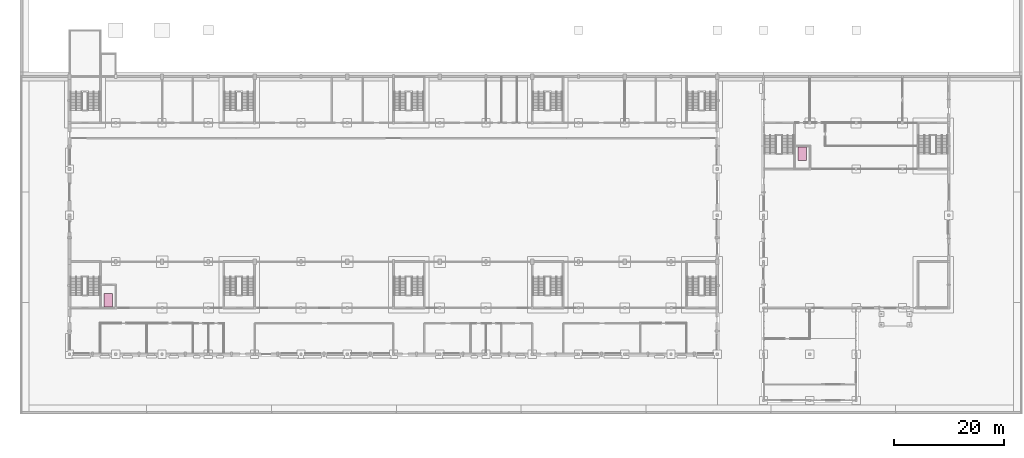
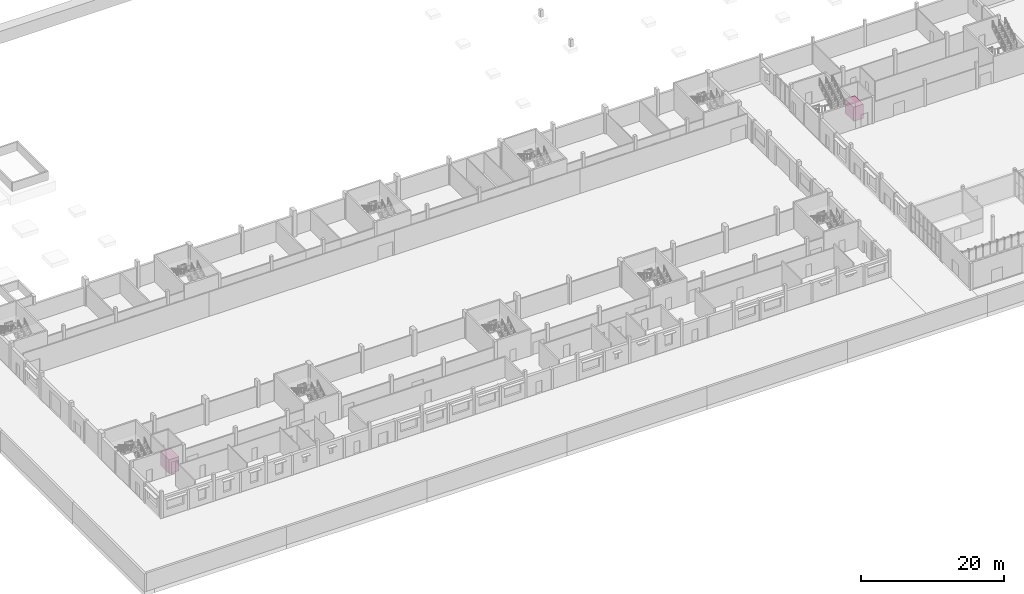
# One storey, part 36 of 36: 2 transport elements.
"""IFC4 building model written with IfcOpenShell, lengths in metres."""

import ifcopenshell
import ifcopenshell.guid

model = None  # the IFC model being written
_history = None  # IfcOwnerHistory: only IFC2X3 demands one
_inside = {}  # id of a spatial element -> (the spatial element, [elements in it])
_under = {}  # id of a project, library or spatial element -> (it, [spatial elements below it])
_declared = {}  # id of a project -> (the project, [libraries it declares])
_typed = {}  # id of a type object -> (the type object, [elements of that type])
_made_of = {}  # id of a material, layer set ... -> (it, [elements and type objects made of it])


def new_model(schema):
    """Start an empty IFC model of exactly this schema.

    Asked for "IFC4X3", IfcOpenShell would pick the latest addendum, in which some entities
    have other attributes; the version numbers below select the first issue.
    IFC2X3 requires an IfcOwnerHistory on every rooted entity: one is made here for all.
    """
    global model, _history
    if schema == "IFC4X3":
        model = ifcopenshell.file(schema_version=(4, 3, 0, 0))
    else:
        model = ifcopenshell.file(schema=schema)
    _inside.clear()
    _under.clear()
    _declared.clear()
    _typed.clear()
    _made_of.clear()
    _history = None
    if model.schema == "IFC2X3":
        org = make("IfcOrganization", Name="unknown")
        user = make(
            "IfcPersonAndOrganization",
            ThePerson=make("IfcPerson", FamilyName="unknown"),
            TheOrganization=org,
        )
        app = make(
            "IfcApplication",
            ApplicationDeveloper=org,
            Version="unknown",
            ApplicationFullName="unknown",
            ApplicationIdentifier="unknown",
        )
        _history = make(
            "IfcOwnerHistory",
            OwningUser=user,
            OwningApplication=app,
            ChangeAction="ADDED",
            CreationDate=0,
        )
    return model


def make(cls, **values):
    """One entity of the class cls with the attributes given. An attribute that is None is left unset."""
    return model.create_entity(
        cls, **{name: value for name, value in values.items() if value is not None}
    )


def rooted(cls, **values):
    """An entity with a GlobalId (a new one), such as an element, a storey or a relation."""
    return make(cls, GlobalId=ifcopenshell.guid.new(), OwnerHistory=_history, **values)


def si_unit(unit_type, name, prefix=None):
    """IfcSIUnit, for example si_unit("LENGTHUNIT", "METRE", prefix="MILLI")."""
    return make("IfcSIUnit", UnitType=unit_type, Prefix=prefix, Name=name)


def assignment(units):
    """IfcUnitAssignment: the units of a project."""
    return None if units is None else make("IfcUnitAssignment", Units=units)


def point(xyz):
    """IfcCartesianPoint."""
    return None if xyz is None else make("IfcCartesianPoint", Coordinates=xyz)


def direction(xyz):
    """IfcDirection."""
    return None if xyz is None else make("IfcDirection", DirectionRatios=xyz)


def frame(location, z_axis=None, x_axis=None):
    """IfcAxis2Placement3D, a coordinate frame: its origin and axes. An axis left out is left unset."""
    return make(
        "IfcAxis2Placement3D",
        Location=point(location),
        Axis=direction(z_axis),
        RefDirection=direction(x_axis),
    )


def frame_2d(location, x_axis=None):
    """IfcAxis2Placement2D, a coordinate frame in the plane: its origin and x axis."""
    return make(
        "IfcAxis2Placement2D", Location=point(location), RefDirection=direction(x_axis)
    )


def origin():
    """The frame at (0, 0, 0) with its axes left unset."""
    return frame((0.0, 0.0, 0.0))


def origin_2d():
    """The frame at (0, 0) in the plane with its x axis left unset."""
    return frame_2d((0.0, 0.0))


def place(relative_to, where):
    """IfcLocalPlacement: puts the frame where relative to a parent placement (None: the world)."""
    return make(
        "IfcLocalPlacement", PlacementRelTo=relative_to, RelativePlacement=where
    )


def context(
    kind, dimensions, precision=None, world=None, true_north=None, identifier=None
):
    """IfcGeometricRepresentationContext, for example the 3D "Model" context."""
    return make(
        "IfcGeometricRepresentationContext",
        ContextIdentifier=identifier,
        ContextType=kind,
        CoordinateSpaceDimension=dimensions,
        Precision=precision,
        WorldCoordinateSystem=world,
        TrueNorth=true_north,
    )


def subcontext(parent, identifier, kind, view, scale=None):
    """IfcGeometricRepresentationSubContext, for example "Body" below "Model"."""
    return make(
        "IfcGeometricRepresentationSubContext",
        ContextIdentifier=identifier,
        ContextType=kind,
        ParentContext=parent,
        TargetScale=scale,
        TargetView=view,
    )


def project(units=None, contexts=None):
    """IfcProject with its units and contexts."""
    return rooted(
        "IfcProject",
        Name="project",
        RepresentationContexts=contexts,
        UnitsInContext=assignment(units),
    )


def spatial(cls, under=None, at=None, **own):
    """A site, building, storey or space (cls), placed at a placement, below another one or the project."""
    s = rooted(cls, ObjectPlacement=at, **own)
    if under is not None:
        _under.setdefault(under.id(), (under, []))[1].append(s)
    return s


def profile(cls, at=None, kind="AREA", **sizes):
    """A parametric profile (cls). Its sizes go by their IFC names, for example OverallWidth=200.0."""
    return make(cls, ProfileType=kind, Position=at, **sizes)


def rectangle(**sizes):
    """IfcRectangleProfileDef."""
    return profile("IfcRectangleProfileDef", **sizes)


def extrude(swept, where, along, depth):
    """IfcExtrudedAreaSolid: the profile swept, set in the frame where, extruded along a direction by depth."""
    return make(
        "IfcExtrudedAreaSolid",
        SweptArea=swept,
        Position=where,
        ExtrudedDirection=direction(along),
        Depth=depth,
    )


def shape(context_of_items, identifier, shape_type, items):
    """IfcShapeRepresentation: the items that make up one representation, for example the "Body"."""
    return make(
        "IfcShapeRepresentation",
        ContextOfItems=context_of_items,
        RepresentationIdentifier=identifier,
        RepresentationType=shape_type,
        Items=items,
    )


def material(Name=None, Category=None):
    """IfcMaterial."""
    return make("IfcMaterial", Name=Name, Category=Category)


def made_of(thing, what):
    """Note that an element or type object is made of a material, layer set ...; save() writes the relation."""
    if what is not None:
        _made_of.setdefault(what.id(), (what, []))[1].append(thing)
    return thing


def type_object(cls, material=None, **own):
    """A type object (cls), such as IfcWallType, which elements share."""
    return made_of(rooted(cls, **own), material)


def element(
    cls,
    number,
    at=None,
    inside=None,
    cuts=None,
    type_object=None,
    material=None,
    context=None,
    identifier="Body",
    shape_type=None,
    held_by="IfcProductDefinitionShape",
    body=None,
    shapes=None,
    **own,
):
    """One element of the class cls, such as IfcWall. Its Tag is "e" and its number.

    at: its placement. inside: the storey or other place that contains it. cuts: it is an
    opening in that element (IfcRelVoidsElement). A single representation is given by context,
    identifier, shape_type and body (its items); several are given by shapes. held_by: the class
    of the entity that holds the representations. save() writes the other relations.
    """
    e = rooted(cls, Tag="e%d" % number, ObjectPlacement=at, **own)
    if body is not None:
        shapes = [shape(context, identifier, shape_type, body)]
    if shapes is not None:
        e.Representation = make(held_by, Representations=shapes)
    if inside is not None:
        _inside.setdefault(inside.id(), (inside, []))[1].append(e)
    if cuts is not None:
        rooted(
            "IfcRelVoidsElement", RelatingBuildingElement=cuts, RelatedOpeningElement=e
        )
    if type_object is not None:
        _typed.setdefault(type_object.id(), (type_object, []))[1].append(e)
    return made_of(e, material)


def aggregate(whole, parts):
    """IfcRelAggregates: a whole, such as a stair, and the parts it consists of."""
    return rooted("IfcRelAggregates", RelatingObject=whole, RelatedObjects=parts)


def save(model, path):
    """Write the relations noted so far, then the file.

    IfcRelAggregates (storeys below a building ...), IfcRelContainedInSpatialStructure (elements
    in a storey), IfcRelDefinesByType, IfcRelAssociatesMaterial and IfcRelDeclares: one each for
    every whole, place, type object, material and project.
    """
    for whole, parts in _under.values():
        aggregate(whole, parts)
    for where, things in _inside.values():
        rooted(
            "IfcRelContainedInSpatialStructure",
            RelatedElements=things,
            RelatingStructure=where,
        )
    for kind, things in _typed.values():
        rooted("IfcRelDefinesByType", RelatedObjects=things, RelatingType=kind)
    for what, things in _made_of.values():
        rooted("IfcRelAssociatesMaterial", RelatedObjects=things, RelatingMaterial=what)
    for by, libraries in _declared.values():
        rooted("IfcRelDeclares", RelatingContext=by, RelatedDefinitions=libraries)
    model.write(path)


model = new_model("IFC4")

# Units and contexts
model_context = context("Model", 3, precision=1e-05, world=origin(), true_north=direction((0.0, 1.0)))
body_context = subcontext(model_context, "Body", "Model", "MODEL_VIEW")
ifc_project = project(units=[si_unit("LENGTHUNIT", "METRE"), si_unit("AREAUNIT", "SQUARE_METRE"), si_unit("VOLUMEUNIT", "CUBIC_METRE"), si_unit("PLANEANGLEUNIT", "RADIAN"), si_unit("MASSUNIT", "GRAM", prefix="KILO")], contexts=[model_context])

# Site, building, storey
site_placement = place(None, origin())
site = spatial("IfcSite", under=ifc_project, at=site_placement, CompositionType="ELEMENT")
building_placement = place(site_placement, origin())
building = spatial("IfcBuilding", under=site, at=building_placement, Name="Fescue Hill Polytechnic", CompositionType="ELEMENT")
storey_placement = place(building_placement, origin())
storey = spatial("IfcBuildingStorey", under=building, at=storey_placement, Name="L00", CompositionType="ELEMENT", Elevation=0.0)

# Transport elements
ifc_material = material(Name="Stainless steel", Category="steel")
transport_element_type = type_object("IfcTransportElementType", Name="Passenger lift 1600 kg stretcher car", PredefinedType="ELEVATOR", material=ifc_material)
for number, where, z_axis, x_axis, name in (
    (1, (7.012451171875, 9.800048828125, 0.0), (0.0, 0.0, 1.0), (1.0, 0.0, 0.0), "LF-V1-1 lift car"),
    (2, (133.012451171875, 36.39990234375, 0.0), (0.0, 0.0, 1.0), (1.0, 0.0, 0.0), "LF-V3-1 lift car"),
):
    element("IfcTransportElement", number, at=place(storey_placement, frame(where, z_axis=z_axis, x_axis=x_axis)), inside=storey, type_object=transport_element_type, Name=name, PredefinedType="ELEVATOR", context=body_context, shape_type="SweptSolid", body=[
        extrude(rectangle(XDim=1.60009765625, YDim=2.39990234375, at=origin_2d()), origin(), (0.0, 0.0, 1.0), 2.39990234375),
    ])

save(model, "model.ifc")
